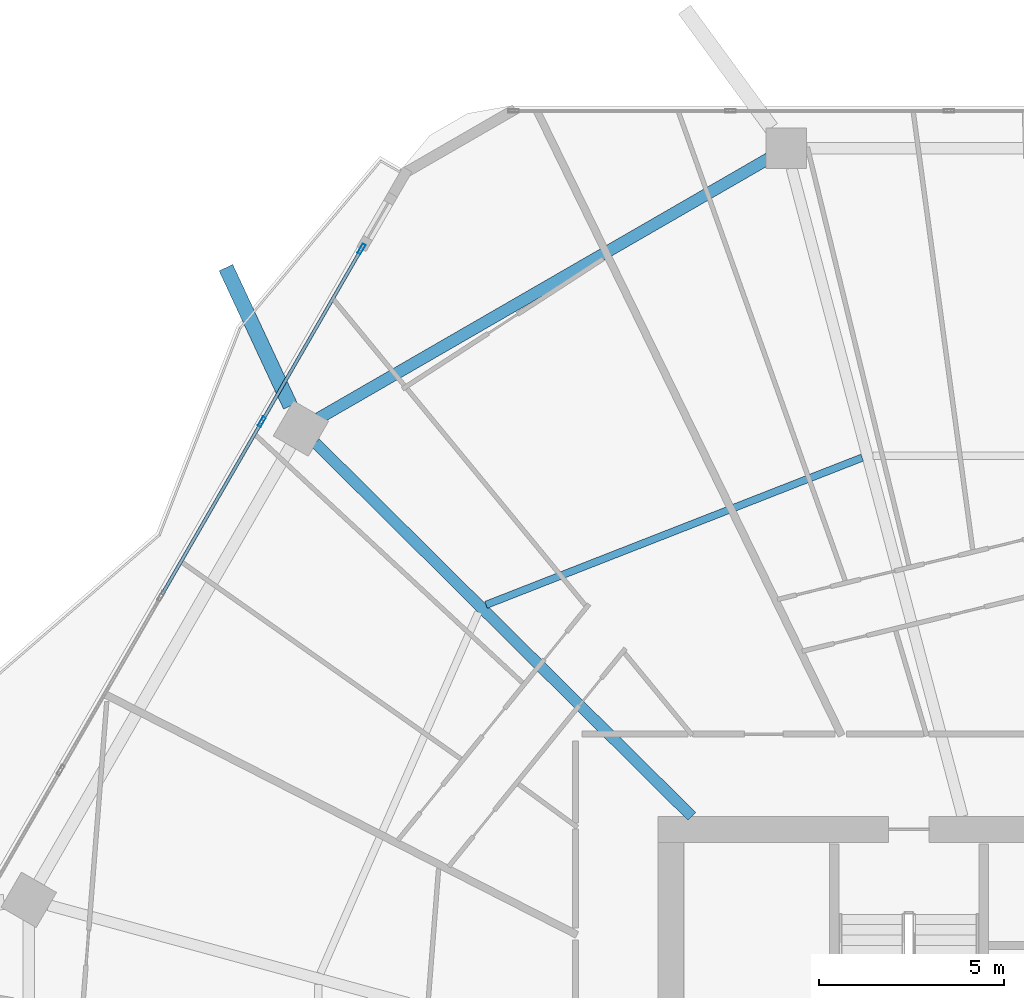
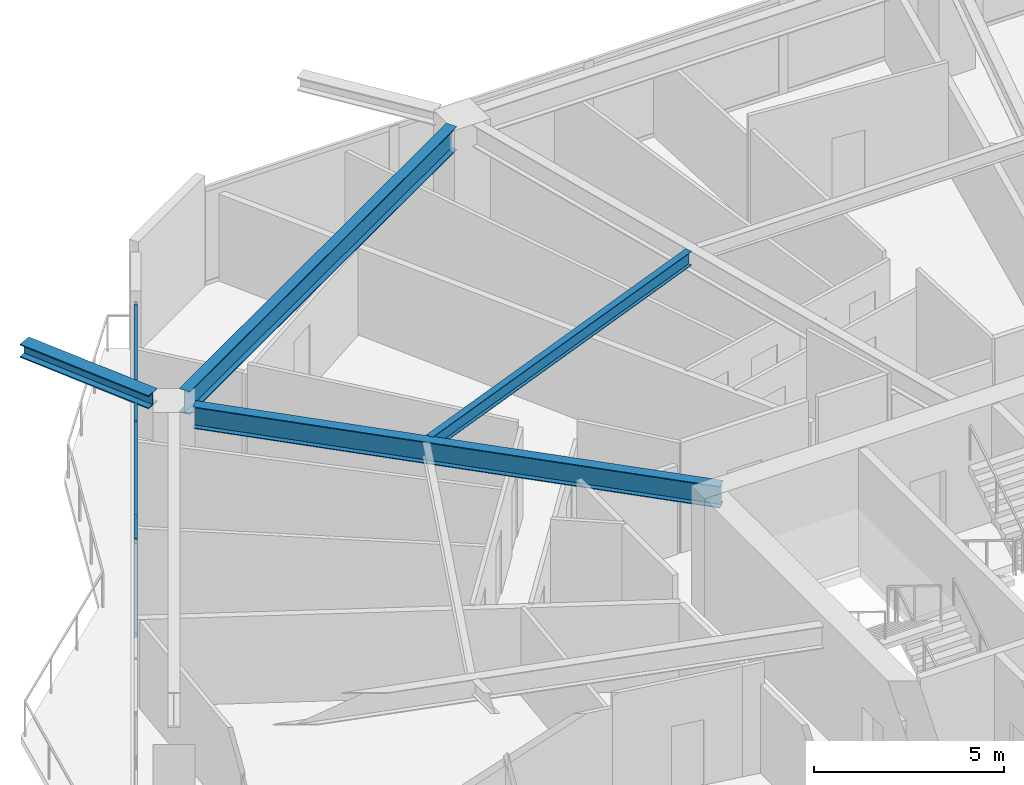
# One storey, part 14 of 32: 6 members, 4 beams, 1 element without a shape of its own.
"""IFC4 building model written with IfcOpenShell, lengths in metres."""

from ifc_helpers import new_model, si_unit, direction, frame, origin, origin_2d, place, context, subcontext, project, spatial, hollow_rectangle, i_section, extrude, material, material_profile, profile_set, type_object, element, aggregate, save


model = new_model("IFC4")

# Units and contexts
model_context = context("Model", 3, precision=1e-05, world=origin(), true_north=direction((0.0, 1.0)))
body_context = subcontext(model_context, "Body", "Model", "MODEL_VIEW")
ifc_project = project(units=[si_unit("LENGTHUNIT", "METRE"), si_unit("AREAUNIT", "SQUARE_METRE"), si_unit("VOLUMEUNIT", "CUBIC_METRE"), si_unit("PLANEANGLEUNIT", "RADIAN"), si_unit("MASSUNIT", "GRAM", prefix="KILO")], contexts=[model_context])

# Site, building, storey
site_placement = place(None, origin())
site = spatial("IfcSite", under=ifc_project, at=site_placement, CompositionType="ELEMENT")
building_placement = place(site_placement, origin())
building = spatial("IfcBuilding", under=site, at=building_placement, Name="Zuhravey Tower", CompositionType="ELEMENT")
storey_placement = place(building_placement, frame((0.0, 0.0, 119.0)))
storey = spatial("IfcBuildingStorey", under=building, at=storey_placement, Name="L29", CompositionType="ELEMENT", Elevation=119.0)

# Curtain wall, members
ifc_material_1 = material(Name="Thermally broken anodised aluminium", Category="aluminium")
curtain_wall_type = type_object("IfcCurtainWallType", Name="Zone 1-2 Residential Curtain Wall CW3", PredefinedType="NOTDEFINED", material=ifc_material_1)
curtain_wall_placement = place(storey_placement, origin())
curtain_wall = element("IfcCurtainWall", 1, at=curtain_wall_placement, inside=storey, type_object=curtain_wall_type, Name="L29 CW3 CW-L29-F3-1", PredefinedType="NOTDEFINED")
ifc_material_2 = material(Name="Anodised aluminium", Category="aluminium")
ifc_material_profile_1 = material_profile(ifc_material_2, hollow_rectangle(XDim=0.090087890625, YDim=0.284912109375, WallThickness=0.0048828125, at=origin_2d()), Name="ALU-RHS-90x285x5")
ifc_profile_set_1 = profile_set([ifc_material_profile_1], Name="Anodised aluminium")
member_type_1 = type_object("IfcMemberType", Name="Curtain-Wall Mullion 90x180", PredefinedType="MULLION", material=ifc_profile_set_1)
member_1_placement = place(storey_placement, frame((14.421142578125, 52.541259765625, 0.0), z_axis=(0.0, 0.0, 1.0), x_axis=(-0.866025163156, 0.500000416781, 0.0)))
member_1 = element("IfcMember", 2, at=member_1_placement, type_object=member_type_1, Name="CW3 mullion 5", PredefinedType="MULLION", context=body_context, shape_type="SweptSolid", body=[
    extrude(hollow_rectangle(XDim=0.090087890625, YDim=0.284912109375, WallThickness=0.0048828125, at=origin_2d()), origin(), (0.0, 0.0, 1.0), 3.1220703125),
])
member_2_placement = place(storey_placement, frame((17.12353515625, 57.221923828125, 0.0), z_axis=(0.0, 0.0, 1.0), x_axis=(-0.866025163156, 0.500000416781, 0.0)))
member_2 = element("IfcMember", 3, at=member_2_placement, type_object=member_type_1, Name="CW3 mullion 6", PredefinedType="MULLION", context=body_context, shape_type="SweptSolid", body=[
    extrude(hollow_rectangle(XDim=0.090087890625, YDim=0.284912109375, WallThickness=0.0048828125, at=origin_2d()), origin(), (0.0, 0.0, 1.0), 3.1220703125),
])
ifc_material_profile_2 = material_profile(ifc_material_2, hollow_rectangle(XDim=0.090087890625, YDim=0.14990234375, WallThickness=0.0048828125, at=origin_2d()), Name="ALU-RHS-90x150x5")
ifc_profile_set_2 = profile_set([ifc_material_profile_2], Name="Anodised aluminium")
member_type_2 = type_object("IfcMemberType", Name="Curtain-Wall Transom 90x150", PredefinedType="USERDEFINED", material=ifc_profile_set_2)
member_3_placement = place(storey_placement, frame((11.71875, 47.8603515625, 0.044921875), z_axis=(0.499994511252, 0.866028572691, 0.0), x_axis=(-0.866028572691, 0.499994511252, 0.0)))
member_3 = element("IfcMember", 4, at=member_3_placement, type_object=member_type_2, Name="CW3 transom 4.1", ObjectType="TRANSOM", PredefinedType="USERDEFINED", context=body_context, shape_type="SweptSolid", body=[
    extrude(hollow_rectangle(XDim=0.090087890625, YDim=0.14990234375, WallThickness=0.0048828125, at=origin_2d()), origin(), (0.0, 0.0, 1.0), 5.35986328125),
])
member_4_placement = place(storey_placement, frame((11.71875, 47.8603515625, 3.076904296875), z_axis=(0.499994511252, 0.866028572691, 0.0), x_axis=(-0.866028572691, 0.499994511252, 0.0)))
member_4 = element("IfcMember", 5, at=member_4_placement, type_object=member_type_2, Name="CW3 transom 4.2", ObjectType="TRANSOM", PredefinedType="USERDEFINED", context=body_context, shape_type="SweptSolid", body=[
    extrude(hollow_rectangle(XDim=0.090087890625, YDim=0.14990234375, WallThickness=0.0048828125, at=origin_2d()), origin(), (0.0, 0.0, 1.0), 5.35986328125),
])
member_5_placement = place(storey_placement, frame((14.443603515625, 52.580078125, 0.044921875), z_axis=(0.500007419992, 0.866021119808, 0.0), x_axis=(-0.866021119808, 0.500007419992, 0.0)))
member_5 = element("IfcMember", 6, at=member_5_placement, type_object=member_type_2, Name="CW3 transom 5.1", ObjectType="TRANSOM", PredefinedType="USERDEFINED", context=body_context, shape_type="SweptSolid", body=[
    extrude(hollow_rectangle(XDim=0.090087890625, YDim=0.14990234375, WallThickness=0.0048828125, at=origin_2d()), origin(), (0.0, 0.0, 1.0), 5.31494140625),
])
member_6_placement = place(storey_placement, frame((14.443603515625, 52.580078125, 3.076904296875), z_axis=(0.500007419992, 0.866021119808, 0.0), x_axis=(-0.866021119808, 0.500007419992, 0.0)))
member_6 = element("IfcMember", 7, at=member_6_placement, type_object=member_type_2, Name="CW3 transom 5.2", ObjectType="TRANSOM", PredefinedType="USERDEFINED", context=body_context, shape_type="SweptSolid", body=[
    extrude(hollow_rectangle(XDim=0.090087890625, YDim=0.14990234375, WallThickness=0.0048828125, at=origin_2d()), origin(), (0.0, 0.0, 1.0), 5.31494140625),
])
aggregate(curtain_wall, [member_1, member_2, member_3, member_4, member_5, member_6])

# Beams
ifc_material_3 = material(Name="Steel SM460", Category="steel")
ifc_material_profile_3 = material_profile(ifc_material_3, i_section(OverallWidth=0.406982421875, OverallDepth=0.427978515625, WebThickness=0.02001953125, FlangeThickness=0.034912109375, at=origin_2d()), Name="H-428x407x20x35")
ifc_profile_set_3 = profile_set([ifc_material_profile_3], Name="Steel SM460")
beam_type_1 = type_object("IfcBeamType", Name="Exoskeleton Node Tie Beam H428x407", PredefinedType="BEAM", material=ifc_profile_set_3)
beam_1_placement = place(storey_placement, frame((15.195556640625, 52.96923828125, 3.3359375), z_axis=(-0.422464917229, 0.906379276964, 0.0), x_axis=(-0.906379276964, -0.422464917229, 0.0)))
element("IfcBeam", 8, at=beam_1_placement, inside=storey, type_object=beam_type_1, Name="L29 Exoskeleton Node Tie NT1-05", PredefinedType="BEAM", context=body_context, shape_type="SweptSolid", body=[
    extrude(i_section(OverallWidth=0.406982421875, OverallDepth=0.427978515625, WebThickness=0.02001953125, FlangeThickness=0.034912109375, at=origin_2d()), origin(), (0.0, 0.0, 1.0), 4.1318359375),
])
ifc_material_4 = material(Name="Steel SM355", Category="steel")
ifc_material_profile_4 = material_profile(ifc_material_4, i_section(OverallWidth=0.320068359375, OverallDepth=0.75, WebThickness=0.013916015625, FlangeThickness=0.02490234375, at=origin_2d()), Name="H-750x320x14x25")
ifc_profile_set_4 = profile_set([ifc_material_profile_4], Name="Steel SM355")
beam_type_2 = type_object("IfcBeamType", Name="Perimeter Ring Beam H750x320", PredefinedType="BEAM", material=ifc_profile_set_4)
beam_2_placement = place(storey_placement, frame((28.151123046875, 59.672119140625, 3.175048828125), z_axis=(-0.866017786538, -0.500013193225, 0.0), x_axis=(0.500013193225, -0.866017786538, 0.0)))
element("IfcBeam", 9, at=beam_2_placement, inside=storey, type_object=beam_type_2, Name="L29 PB1 BM-L29-PB-04", PredefinedType="BEAM", context=body_context, shape_type="SweptSolid", body=[
    extrude(i_section(OverallWidth=0.320068359375, OverallDepth=0.75, WebThickness=0.013916015625, FlangeThickness=0.02490234375, at=origin_2d()), origin(), (0.0, 0.0, 1.0), 14.0771484375),
])
ifc_material_profile_5 = material_profile(ifc_material_4, i_section(OverallWidth=0.300048828125, OverallDepth=0.699951171875, WebThickness=0.012939453125, FlangeThickness=0.02392578125, at=origin_2d()), Name="H-700x300x13x24")
ifc_profile_set_5 = profile_set([ifc_material_profile_5], Name="Steel SM355")
beam_type_3 = type_object("IfcBeamType", Name="Radial Primary Girder H700x300", PredefinedType="BEAM", material=ifc_profile_set_5)
beam_3_placement = place(storey_placement, frame((26.068603515625, 41.85302734375, 3.199951171875), z_axis=(-0.709906230344, 0.704296204816, 0.0), x_axis=(-0.704296204816, -0.709906230344, 0.0)))
element("IfcBeam", 10, at=beam_3_placement, inside=storey, type_object=beam_type_3, Name="L29 RG1 BM-L29-RAD-05", PredefinedType="BEAM", context=body_context, shape_type="SweptSolid", body=[
    extrude(i_section(OverallWidth=0.300048828125, OverallDepth=0.699951171875, WebThickness=0.012939453125, FlangeThickness=0.02392578125, at=origin_2d()), origin(), (0.0, 0.0, 1.0), 14.361083984375),
])
ifc_material_profile_6 = material_profile(ifc_material_4, i_section(OverallWidth=0.199951171875, OverallDepth=0.449951171875, WebThickness=0.009033203125, FlangeThickness=0.013916015625, at=origin_2d()), Name="H-450x200x9x14")
ifc_profile_set_6 = profile_set([ifc_material_profile_6], Name="Steel SM355")
beam_type_4 = type_object("IfcBeamType", Name="Secondary Floor Joist H450x200", PredefinedType="JOIST", material=ifc_profile_set_6)
beam_4_placement = place(storey_placement, frame((30.681640625, 51.568359375, 3.324951171875), z_axis=(-0.931216764731, -0.364465824302, 0.0), x_axis=(0.364465824302, -0.931216764731, 0.0)))
element("IfcBeam", 11, at=beam_4_placement, inside=storey, type_object=beam_type_4, Name="L29 SJ1 BM-L29-SJ-04-1", PredefinedType="JOIST", context=body_context, shape_type="SweptSolid", body=[
    extrude(i_section(OverallWidth=0.199951171875, OverallDepth=0.449951171875, WebThickness=0.009033203125, FlangeThickness=0.013916015625, at=origin_2d()), origin(), (0.0, 0.0, 1.0), 10.939453125),
])

save(model, "model.ifc")
